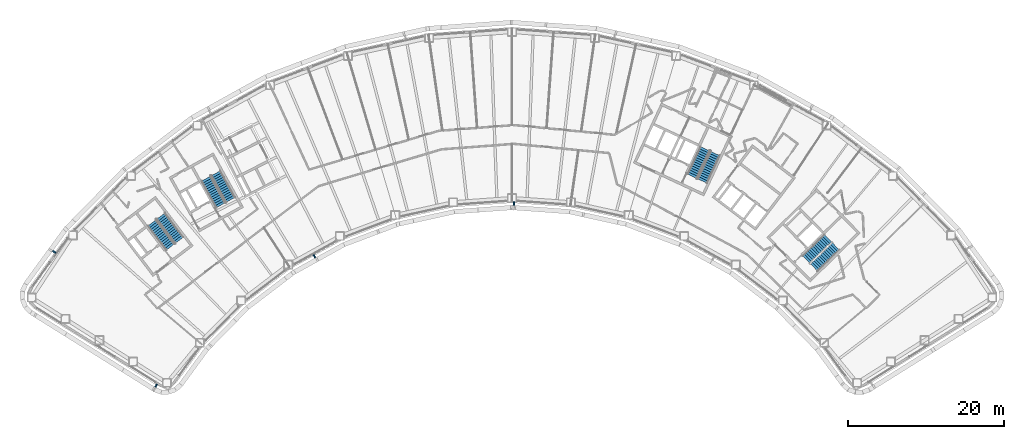
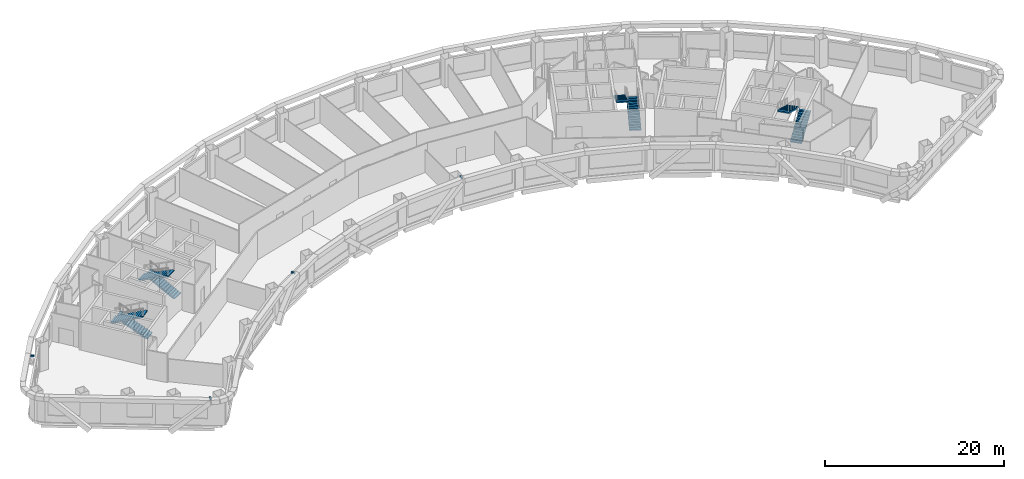
# One storey, part 10 of 16: 8 stair flights, 4 discrete accessories, 4 elements without a shape of their own.
"""IFC4 building model written with IfcOpenShell, lengths in metres."""

from ifc_helpers import new_model, si_unit, direction, frame, origin, origin_2d, place, context, subcontext, project, spatial, polyline, rectangle, outline, extrude, material, type_object, element, aggregate, save


model = new_model("IFC4")

# Units and contexts
model_context = context("Model", 3, precision=1e-05, world=origin(), true_north=direction((0.0, 1.0)))
body_context = subcontext(model_context, "Body", "Model", "MODEL_VIEW")
ifc_project = project(units=[si_unit("LENGTHUNIT", "METRE"), si_unit("AREAUNIT", "SQUARE_METRE"), si_unit("VOLUMEUNIT", "CUBIC_METRE"), si_unit("PLANEANGLEUNIT", "RADIAN"), si_unit("MASSUNIT", "GRAM", prefix="KILO")], contexts=[model_context])

# Site, building, storey
site_placement = place(None, origin())
site = spatial("IfcSite", under=ifc_project, at=site_placement, CompositionType="ELEMENT")
building_placement = place(site_placement, origin())
building = spatial("IfcBuilding", under=site, at=building_placement, Name="Tuul Gate Civic Tower", CompositionType="ELEMENT")
storey_placement = place(building_placement, frame((0.0, 0.0, 124.5)))
storey = spatial("IfcBuildingStorey", under=building, at=storey_placement, Name="Level 28", CompositionType="ELEMENT", Elevation=124.5)

# Stair, stair flights
ifc_material_1 = material(Name="Concrete C40/50", Category="concrete")
stair_type = type_object("IfcStairType", Name="Exit stair", PredefinedType="HALF_TURN_STAIR", material=ifc_material_1)
stair_1_placement = place(storey_placement, origin())
stair_1 = element("IfcStair", 1, at=stair_1_placement, inside=storey, type_object=stair_type, Name="Level 28 ST-1", PredefinedType="HALF_TURN_STAIR")
ifc_material_2 = material(Name="Concrete C40/50", Category="concrete")
stair_flight_type = type_object("IfcStairFlightType", Name="Exit stair flight", PredefinedType="STRAIGHT", material=ifc_material_2)
stair_flight_1_placement = place(storey_placement, frame((-32.875244140625, -13.066650390625, 0.0), z_axis=(0.0, 0.0, 1.0), x_axis=(-0.605764474941, 0.795644016442, 0.0)))
stair_flight_1 = element("IfcStairFlight", 2, at=stair_flight_1_placement, type_object=stair_flight_type, Name="ST-1 flight 1", NumberOfRisers=14, NumberOfTreads=13, PredefinedType="STRAIGHT", RiserHeight=0.15, TreadLength=0.3, context=body_context, shape_type="SweptSolid", body=[
    extrude(outline(polyline([(0.0, 0.0), (0.0, 0.14990234375), (0.300048828125, 0.14990234375), (0.300048828125, 0.300048828125), (0.60009765625, 0.300048828125), (0.60009765625, 0.449951171875), (0.89990234375, 0.449951171875), (0.89990234375, 0.60009765625), (1.199951171875, 0.60009765625), (1.199951171875, 0.75), (1.5, 0.75), (1.5, 0.89990234375), (1.800048828125, 0.89990234375), (1.800048828125, 1.050048828125), (2.10009765625, 1.050048828125), (2.10009765625, 1.199951171875), (2.39990234375, 1.199951171875), (2.39990234375, 1.35009765625), (2.699951171875, 1.35009765625), (2.699951171875, 1.5), (3.0, 1.5), (3.0, 1.64990234375), (3.300048828125, 1.64990234375), (3.300048828125, 1.800048828125), (3.60009765625, 1.800048828125), (3.60009765625, 1.949951171875), (3.89990234375, 1.949951171875), (3.89990234375, 2.10009765625), (3.89990234375, 1.782470703125), (0.335205078125, 0.0), (0.0, 0.0)])), frame((0.0, 0.675048828125, 0.0), z_axis=(0.0, -1.0, 0.0), x_axis=(1.0, 0.0, 0.0)), (0.0, 0.0, 1.0), 1.35009765625),
])
stair_flight_2_placement = place(storey_placement, frame((-36.391357421875, -10.842041015625, 2.10009765625), z_axis=(0.0, 0.0, 1.0), x_axis=(0.605764474941, -0.795644016442, 0.0)))
stair_flight_2 = element("IfcStairFlight", 3, at=stair_flight_2_placement, type_object=stair_flight_type, Name="ST-1 flight 2", NumberOfRisers=14, NumberOfTreads=13, PredefinedType="STRAIGHT", RiserHeight=0.15, TreadLength=0.3, context=body_context, shape_type="SweptSolid", body=[
    extrude(outline(polyline([(0.0, 0.0), (0.0, 0.14990234375), (0.300048828125, 0.14990234375), (0.300048828125, 0.300048828125), (0.60009765625, 0.300048828125), (0.60009765625, 0.449951171875), (0.89990234375, 0.449951171875), (0.89990234375, 0.60009765625), (1.199951171875, 0.60009765625), (1.199951171875, 0.75), (1.5, 0.75), (1.5, 0.89990234375), (1.800048828125, 0.89990234375), (1.800048828125, 1.050048828125), (2.10009765625, 1.050048828125), (2.10009765625, 1.199951171875), (2.39990234375, 1.199951171875), (2.39990234375, 1.35009765625), (2.699951171875, 1.35009765625), (2.699951171875, 1.5), (3.0, 1.5), (3.0, 1.64990234375), (3.300048828125, 1.64990234375), (3.300048828125, 1.800048828125), (3.60009765625, 1.800048828125), (3.60009765625, 1.949951171875), (3.89990234375, 1.949951171875), (3.89990234375, 2.10009765625), (3.89990234375, 1.782470703125), (0.335205078125, 0.0), (0.0, 0.0)])), frame((0.0, 0.675048828125, 0.0), z_axis=(0.0, -1.0, 0.0), x_axis=(1.0, 0.0, 0.0)), (0.0, 0.0, 1.0), 1.35009765625),
])
aggregate(stair_1, [stair_flight_1, stair_flight_2])

stair_2_placement = place(storey_placement, origin())
stair_2 = element("IfcStair", 4, at=stair_2_placement, inside=storey, type_object=stair_type, Name="Level 28 ST-2", PredefinedType="HALF_TURN_STAIR")
stair_flight_3_placement = place(storey_placement, frame((-26.29150390625, -7.87646484375, 0.0), z_axis=(0.0, 0.0, 1.0), x_axis=(-0.484761763766, 0.874646232708, 0.0)))
stair_flight_3 = element("IfcStairFlight", 5, at=stair_flight_3_placement, type_object=stair_flight_type, Name="ST-2 flight 1", NumberOfRisers=14, NumberOfTreads=13, PredefinedType="STRAIGHT", RiserHeight=0.15, TreadLength=0.3, context=body_context, shape_type="SweptSolid", body=[
    extrude(outline(polyline([(0.0, 0.0), (0.0, 0.14990234375), (0.300048828125, 0.14990234375), (0.300048828125, 0.300048828125), (0.60009765625, 0.300048828125), (0.60009765625, 0.449951171875), (0.89990234375, 0.449951171875), (0.89990234375, 0.60009765625), (1.199951171875, 0.60009765625), (1.199951171875, 0.75), (1.5, 0.75), (1.5, 0.89990234375), (1.800048828125, 0.89990234375), (1.800048828125, 1.050048828125), (2.10009765625, 1.050048828125), (2.10009765625, 1.199951171875), (2.39990234375, 1.199951171875), (2.39990234375, 1.35009765625), (2.699951171875, 1.35009765625), (2.699951171875, 1.5), (3.0, 1.5), (3.0, 1.64990234375), (3.300048828125, 1.64990234375), (3.300048828125, 1.800048828125), (3.60009765625, 1.800048828125), (3.60009765625, 1.949951171875), (3.89990234375, 1.949951171875), (3.89990234375, 2.10009765625), (3.89990234375, 1.782470703125), (0.335205078125, 0.0), (0.0, 0.0)])), frame((0.0, 0.675048828125, 0.0), z_axis=(0.0, -1.0, 0.0), x_axis=(1.0, 0.0, 0.0)), (0.0, 0.0, 1.0), 1.35009765625),
])
stair_flight_4_placement = place(storey_placement, frame((-29.450439453125, -5.168212890625, 2.10009765625), z_axis=(0.0, 0.0, 1.0), x_axis=(0.484761763766, -0.874646232708, 0.0)))
stair_flight_4 = element("IfcStairFlight", 6, at=stair_flight_4_placement, type_object=stair_flight_type, Name="ST-2 flight 2", NumberOfRisers=14, NumberOfTreads=13, PredefinedType="STRAIGHT", RiserHeight=0.15, TreadLength=0.3, context=body_context, shape_type="SweptSolid", body=[
    extrude(outline(polyline([(0.0, 0.0), (0.0, 0.14990234375), (0.300048828125, 0.14990234375), (0.300048828125, 0.300048828125), (0.60009765625, 0.300048828125), (0.60009765625, 0.449951171875), (0.89990234375, 0.449951171875), (0.89990234375, 0.60009765625), (1.199951171875, 0.60009765625), (1.199951171875, 0.75), (1.5, 0.75), (1.5, 0.89990234375), (1.800048828125, 0.89990234375), (1.800048828125, 1.050048828125), (2.10009765625, 1.050048828125), (2.10009765625, 1.199951171875), (2.39990234375, 1.199951171875), (2.39990234375, 1.35009765625), (2.699951171875, 1.35009765625), (2.699951171875, 1.5), (3.0, 1.5), (3.0, 1.64990234375), (3.300048828125, 1.64990234375), (3.300048828125, 1.800048828125), (3.60009765625, 1.800048828125), (3.60009765625, 1.949951171875), (3.89990234375, 1.949951171875), (3.89990234375, 2.10009765625), (3.89990234375, 1.782470703125), (0.335205078125, 0.0), (0.0, 0.0)])), frame((0.0, 0.675048828125, 0.0), z_axis=(0.0, -1.0, 0.0), x_axis=(1.0, 0.0, 0.0)), (0.0, 0.0, 1.0), 1.35009765625),
])
aggregate(stair_2, [stair_flight_3, stair_flight_4])

stair_3_placement = place(storey_placement, origin())
stair_3 = element("IfcStair", 7, at=stair_3_placement, inside=storey, type_object=stair_type, Name="Level 28 ST-3", PredefinedType="HALF_TURN_STAIR")
stair_flight_5_placement = place(storey_placement, frame((48.61376953125, -16.581787109375, 0.0), z_axis=(0.0, 0.0, 1.0), x_axis=(0.714127290059, 0.700015866672, 0.0)))
stair_flight_5 = element("IfcStairFlight", 8, at=stair_flight_5_placement, type_object=stair_flight_type, Name="ST-3 flight 1", NumberOfRisers=14, NumberOfTreads=13, PredefinedType="STRAIGHT", RiserHeight=0.15, TreadLength=0.3, context=body_context, shape_type="SweptSolid", body=[
    extrude(outline(polyline([(0.0, 0.0), (0.0, 0.14990234375), (0.300048828125, 0.14990234375), (0.300048828125, 0.300048828125), (0.60009765625, 0.300048828125), (0.60009765625, 0.449951171875), (0.89990234375, 0.449951171875), (0.89990234375, 0.60009765625), (1.199951171875, 0.60009765625), (1.199951171875, 0.75), (1.5, 0.75), (1.5, 0.89990234375), (1.800048828125, 0.89990234375), (1.800048828125, 1.050048828125), (2.10009765625, 1.050048828125), (2.10009765625, 1.199951171875), (2.39990234375, 1.199951171875), (2.39990234375, 1.35009765625), (2.699951171875, 1.35009765625), (2.699951171875, 1.5), (3.0, 1.5), (3.0, 1.64990234375), (3.300048828125, 1.64990234375), (3.300048828125, 1.800048828125), (3.60009765625, 1.800048828125), (3.60009765625, 1.949951171875), (3.89990234375, 1.949951171875), (3.89990234375, 2.10009765625), (3.89990234375, 1.782470703125), (0.335205078125, 0.0), (0.0, 0.0)])), frame((0.0, 0.675048828125, 0.0), z_axis=(0.0, -1.0, 0.0), x_axis=(1.0, 0.0, 0.0)), (0.0, 0.0, 1.0), 1.35009765625),
])
stair_flight_6_placement = place(storey_placement, frame((50.3837890625, -12.816162109375, 2.10009765625), z_axis=(0.0, 0.0, 1.0), x_axis=(-0.714127290059, -0.700015866672, 0.0)))
stair_flight_6 = element("IfcStairFlight", 9, at=stair_flight_6_placement, type_object=stair_flight_type, Name="ST-3 flight 2", NumberOfRisers=14, NumberOfTreads=13, PredefinedType="STRAIGHT", RiserHeight=0.15, TreadLength=0.3, context=body_context, shape_type="SweptSolid", body=[
    extrude(outline(polyline([(0.0, 0.0), (0.0, 0.14990234375), (0.300048828125, 0.14990234375), (0.300048828125, 0.300048828125), (0.60009765625, 0.300048828125), (0.60009765625, 0.449951171875), (0.89990234375, 0.449951171875), (0.89990234375, 0.60009765625), (1.199951171875, 0.60009765625), (1.199951171875, 0.75), (1.5, 0.75), (1.5, 0.89990234375), (1.800048828125, 0.89990234375), (1.800048828125, 1.050048828125), (2.10009765625, 1.050048828125), (2.10009765625, 1.199951171875), (2.39990234375, 1.199951171875), (2.39990234375, 1.35009765625), (2.699951171875, 1.35009765625), (2.699951171875, 1.5), (3.0, 1.5), (3.0, 1.64990234375), (3.300048828125, 1.64990234375), (3.300048828125, 1.800048828125), (3.60009765625, 1.800048828125), (3.60009765625, 1.949951171875), (3.89990234375, 1.949951171875), (3.89990234375, 2.10009765625), (3.89990234375, 1.782470703125), (0.335205078125, 0.0), (0.0, 0.0)])), frame((0.0, 0.675048828125, 0.0), z_axis=(0.0, -1.0, 0.0), x_axis=(1.0, 0.0, 0.0)), (0.0, 0.0, 1.0), 1.35009765625),
])
aggregate(stair_3, [stair_flight_5, stair_flight_6])

stair_4_placement = place(storey_placement, origin())
stair_4 = element("IfcStair", 10, at=stair_4_placement, inside=storey, type_object=stair_type, Name="Level 28 ST-4", PredefinedType="HALF_TURN_STAIR")
stair_flight_7_placement = place(storey_placement, frame((34.278564453125, -5.478515625, 0.0), z_axis=(0.0, 0.0, 1.0), x_axis=(0.422576295988, 0.906327354806, 0.0)))
stair_flight_7 = element("IfcStairFlight", 11, at=stair_flight_7_placement, type_object=stair_flight_type, Name="ST-4 flight 1", NumberOfRisers=14, NumberOfTreads=13, PredefinedType="STRAIGHT", RiserHeight=0.15, TreadLength=0.3, context=body_context, shape_type="SweptSolid", body=[
    extrude(outline(polyline([(0.0, 0.0), (0.0, 0.14990234375), (0.300048828125, 0.14990234375), (0.300048828125, 0.300048828125), (0.60009765625, 0.300048828125), (0.60009765625, 0.449951171875), (0.89990234375, 0.449951171875), (0.89990234375, 0.60009765625), (1.199951171875, 0.60009765625), (1.199951171875, 0.75), (1.5, 0.75), (1.5, 0.89990234375), (1.800048828125, 0.89990234375), (1.800048828125, 1.050048828125), (2.10009765625, 1.050048828125), (2.10009765625, 1.199951171875), (2.39990234375, 1.199951171875), (2.39990234375, 1.35009765625), (2.699951171875, 1.35009765625), (2.699951171875, 1.5), (3.0, 1.5), (3.0, 1.64990234375), (3.300048828125, 1.64990234375), (3.300048828125, 1.800048828125), (3.60009765625, 1.800048828125), (3.60009765625, 1.949951171875), (3.89990234375, 1.949951171875), (3.89990234375, 2.10009765625), (3.89990234375, 1.782470703125), (0.335205078125, 0.0), (0.0, 0.0)])), frame((0.0, 0.675048828125, 0.0), z_axis=(0.0, -1.0, 0.0), x_axis=(1.0, 0.0, 0.0)), (0.0, 0.0, 1.0), 1.35009765625),
])
stair_flight_8_placement = place(storey_placement, frame((34.612548828125, -1.3310546875, 2.10009765625), z_axis=(0.0, 0.0, 1.0), x_axis=(-0.422576295988, -0.906327354806, 0.0)))
stair_flight_8 = element("IfcStairFlight", 12, at=stair_flight_8_placement, type_object=stair_flight_type, Name="ST-4 flight 2", NumberOfRisers=14, NumberOfTreads=13, PredefinedType="STRAIGHT", RiserHeight=0.15, TreadLength=0.3, context=body_context, shape_type="SweptSolid", body=[
    extrude(outline(polyline([(0.0, 0.0), (0.0, 0.14990234375), (0.300048828125, 0.14990234375), (0.300048828125, 0.300048828125), (0.60009765625, 0.300048828125), (0.60009765625, 0.449951171875), (0.89990234375, 0.449951171875), (0.89990234375, 0.60009765625), (1.199951171875, 0.60009765625), (1.199951171875, 0.75), (1.5, 0.75), (1.5, 0.89990234375), (1.800048828125, 0.89990234375), (1.800048828125, 1.050048828125), (2.10009765625, 1.050048828125), (2.10009765625, 1.199951171875), (2.39990234375, 1.199951171875), (2.39990234375, 1.35009765625), (2.699951171875, 1.35009765625), (2.699951171875, 1.5), (3.0, 1.5), (3.0, 1.64990234375), (3.300048828125, 1.64990234375), (3.300048828125, 1.800048828125), (3.60009765625, 1.800048828125), (3.60009765625, 1.949951171875), (3.89990234375, 1.949951171875), (3.89990234375, 2.10009765625), (3.89990234375, 1.782470703125), (0.335205078125, 0.0), (0.0, 0.0)])), frame((0.0, 0.675048828125, 0.0), z_axis=(0.0, -1.0, 0.0), x_axis=(1.0, 0.0, 0.0)), (0.0, 0.0, 1.0), 1.35009765625),
])
aggregate(stair_4, [stair_flight_7, stair_flight_8])

# Discrete accessories
ifc_material_3 = material(Name="Stainless steel", Category="steel")
discrete_accessory_type = type_object("IfcDiscreteAccessoryType", Name="Screen bracket", PredefinedType="BRACKET", material=ifc_material_3)
discrete_accessory_1_placement = place(storey_placement, frame((-48.939697265625, -14.56640625, 3.75), z_axis=(0.0, 0.0, 1.0), x_axis=(-0.803053630356, 0.595906760133, 0.0)))
element("IfcDiscreteAccessory", 13, at=discrete_accessory_1_placement, inside=storey, type_object=discrete_accessory_type, Name="Screen bracket 17", PredefinedType="BRACKET", context=body_context, shape_type="SweptSolid", body=[
    extrude(rectangle(XDim=0.449951171875, YDim=0.199951171875, at=origin_2d()), origin(), (0.0, 0.0, 1.0), 0.199951171875),
])
discrete_accessory_2_placement = place(storey_placement, frame((-35.86328125, -31.74853515625, 3.75), z_axis=(0.0, 0.0, 1.0), x_axis=(-0.448835572436, -0.893614362528, 0.0)))
element("IfcDiscreteAccessory", 14, at=discrete_accessory_2_placement, inside=storey, type_object=discrete_accessory_type, Name="Screen bracket 20", PredefinedType="BRACKET", context=body_context, shape_type="SweptSolid", body=[
    extrude(rectangle(XDim=0.451904296875, YDim=0.199951171875, at=origin_2d()), origin(), (0.0, 0.0, 1.0), 0.199951171875),
])
discrete_accessory_3_placement = place(storey_placement, frame((-15.542236328125, -15.12890625, 3.75), z_axis=(0.0, 0.0, 1.0), x_axis=(0.490452082863, -0.8714681603, 0.0)))
element("IfcDiscreteAccessory", 15, at=discrete_accessory_3_placement, inside=storey, type_object=discrete_accessory_type, Name="Screen bracket 23", PredefinedType="BRACKET", context=body_context, shape_type="SweptSolid", body=[
    extrude(rectangle(XDim=0.449951171875, YDim=0.199951171875, at=origin_2d()), origin(), (0.0, 0.0, 1.0), 0.199951171875),
])
discrete_accessory_4_placement = place(storey_placement, frame((10.093994140625, -8.36572265625, 3.75), z_axis=(0.0, 0.0, 1.0), x_axis=(-0.005110301807, -0.999986942322, 0.0)))
element("IfcDiscreteAccessory", 16, at=discrete_accessory_4_placement, inside=storey, type_object=discrete_accessory_type, Name="Screen bracket 26", PredefinedType="BRACKET", context=body_context, shape_type="SweptSolid", body=[
    extrude(rectangle(XDim=0.450927734375, YDim=0.199951171875, at=origin_2d()), origin(), (0.0, 0.0, 1.0), 0.199951171875),
])

save(model, "model.ifc")
